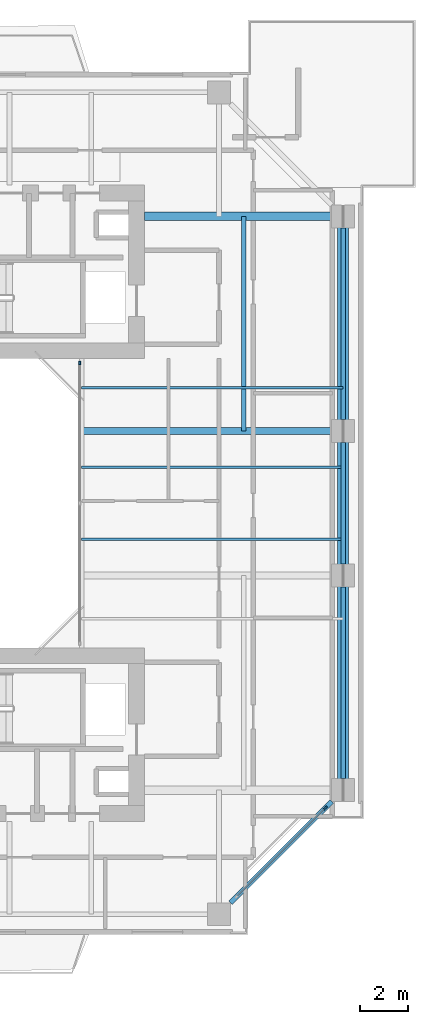
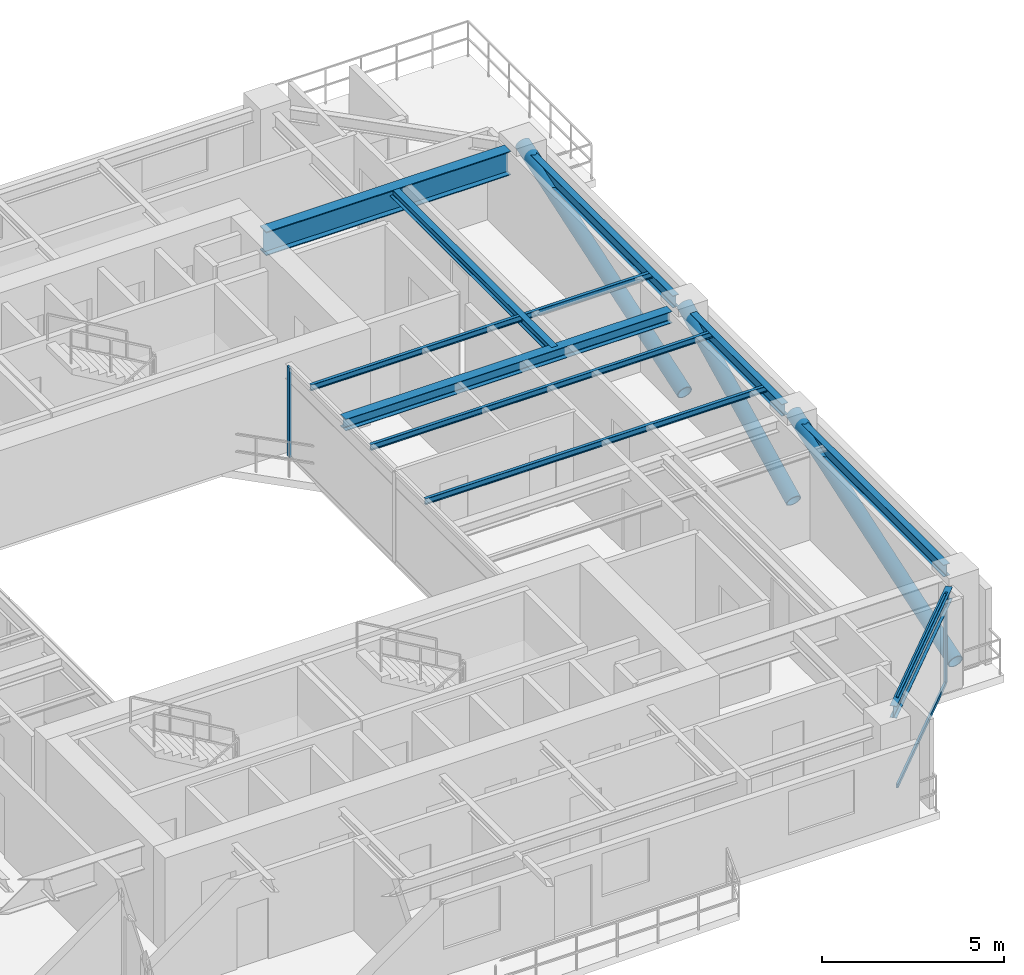
# One storey, part 5 of 14: 10 beams, 7 members, 2 elements without a shape of their own.
"""IFC4 building model written with IfcOpenShell, lengths in metres."""

from ifc_helpers import new_model, si_unit, direction, frame, origin, origin_2d, place, context, subcontext, project, spatial, rectangle, hollow_circle, i_section, extrude, source, transform, mapped, material, layer, layer_set, material_profile, profile_set, type_object, element, aggregate, save


model = new_model("IFC4")

# Units and contexts
model_context = context("Model", 3, precision=1e-05, world=origin(), true_north=direction((0.0, 1.0)))
body_context = subcontext(model_context, "Body", "Model", "MODEL_VIEW")
ifc_project = project(units=[si_unit("LENGTHUNIT", "METRE"), si_unit("AREAUNIT", "SQUARE_METRE"), si_unit("VOLUMEUNIT", "CUBIC_METRE"), si_unit("PLANEANGLEUNIT", "RADIAN"), si_unit("MASSUNIT", "GRAM", prefix="KILO"), si_unit("THERMODYNAMICTEMPERATUREUNIT", "KELVIN"), si_unit("POWERUNIT", "WATT")], contexts=[model_context])

# Site, building, storey
site_placement = place(None, origin())
site = spatial("IfcSite", under=ifc_project, at=site_placement, CompositionType="ELEMENT")
building_placement = place(site_placement, origin())
building = spatial("IfcBuilding", under=site, at=building_placement, Name="Qiaomeng Ring Towers", CompositionType="ELEMENT")
storey_placement = place(building_placement, frame((0.0, 0.0, 173.0)))
storey = spatial("IfcBuildingStorey", under=building, at=storey_placement, Name="L50", CompositionType="ELEMENT", Elevation=173.0)

# Beams
ifc_material_1 = material(Name="Steel Q355B", Category="steel")
ifc_material_profile_1 = material_profile(ifc_material_1, i_section(OverallWidth=0.10009765625, OverallDepth=0.199951171875, WebThickness=0.005615234375, FlangeThickness=0.008056640625, FilletRadius=0.010986328125, at=origin_2d()), Name="HN 200x100x5.5x8")
ifc_profile_set_1 = profile_set([ifc_material_profile_1], Name="Steel Q355B")
beam_type_1 = type_object("IfcBeamType", Name="STR-BM-HN200", PredefinedType="JOIST", material=ifc_profile_set_1)
shared_shape_1 = source(origin(), body_context, "Body", "SweptSolid", [
    extrude(i_section(OverallWidth=0.10009765625, OverallDepth=0.199951171875, WebThickness=0.005615234375, FlangeThickness=0.008056640625, FilletRadius=0.010986328125, at=origin_2d()), origin(), (0.0, 0.0, 1.0), 10.85009765625),
])
for number, where, z_axis, x_axis, name in (
    (1, (25.199951171875, 21.5, 2.89990234375), (1.0, 0.0, 0.0), (0.0, 1.0, 0.0), "L50 beam STR-JST-L50-T1E-2"),
    (2, (25.199951171875, 24.5, 2.89990234375), (1.0, 0.0, 0.0), (0.0, 1.0, 0.0), "L50 beam STR-JST-L50-T1E-3"),
    (3, (25.199951171875, 27.800048828125, 2.89990234375), (1.0, 0.0, 0.0), (0.0, 1.0, 0.0), "L50 beam STR-JST-L50-T1E-4"),
):
    element("IfcBeam", number, at=place(storey_placement, frame(where, z_axis=z_axis, x_axis=x_axis)), inside=storey, type_object=beam_type_1, Name=name, PredefinedType="JOIST", context=body_context, shape_type="MappedRepresentation", body=[
        mapped(shared_shape_1, transform((0.0, 0.0, 0.0), x_axis=(1.0, 0.0, 0.0), y_axis=(0.0, 1.0, 0.0), z_axis=(0.0, 0.0, 1.0), scale=1.0)),
    ])
ifc_material_profile_2 = material_profile(ifc_material_1, i_section(OverallWidth=0.199951171875, OverallDepth=0.2939453125, WebThickness=0.008056640625, FlangeThickness=0.011962890625, FilletRadius=0.01806640625, at=origin_2d()), Name="HM 294x200x8x12")
ifc_profile_set_2 = profile_set([ifc_material_profile_2], Name="Steel Q355B")
beam_type_2 = type_object("IfcBeamType", Name="STR-BM-HM294", PredefinedType="JOIST", material=ifc_profile_set_2)
shared_shape_2 = source(origin(), body_context, "Body", "SweptSolid", [
    extrude(i_section(OverallWidth=0.199951171875, OverallDepth=0.2939453125, WebThickness=0.008056640625, FlangeThickness=0.011962890625, FilletRadius=0.01806640625, at=origin_2d()), origin(), (0.0, 0.0, 1.0), 8.89990234375),
])
beam_1_placement = place(storey_placement, frame((31.925048828125, 26.0, 2.85302734375), z_axis=(0.0, 1.0, 0.0), x_axis=(-1.0, 0.0, 0.0)))
element("IfcBeam", 4, at=beam_1_placement, inside=storey, type_object=beam_type_2, Name="L50 beam STR-JST-L50-T1C-EN", PredefinedType="JOIST", context=body_context, shape_type="MappedRepresentation", body=[
    mapped(shared_shape_2, transform((0.0, 0.0, 0.0), x_axis=(1.0, 0.0, 0.0), y_axis=(0.0, 1.0, 0.0), z_axis=(0.0, 0.0, 1.0), scale=1.0)),
])
ifc_material_profile_3 = material_profile(ifc_material_1, i_section(OverallWidth=0.199951171875, OverallDepth=0.39990234375, WebThickness=0.008056640625, FlangeThickness=0.012939453125, FilletRadius=0.01611328125, at=origin_2d()), Name="HN 400x200x8x13")
ifc_profile_set_3 = profile_set([ifc_material_profile_3], Name="Steel Q355B")
beam_type_3 = type_object("IfcBeamType", Name="STR-BM-HN400", PredefinedType="SPANDREL", material=ifc_profile_set_3)
shared_shape_3 = source(origin(), body_context, "Body", "SweptSolid", [
    extrude(i_section(OverallWidth=0.199951171875, OverallDepth=0.39990234375, WebThickness=0.008056640625, FlangeThickness=0.012939453125, FilletRadius=0.01611328125, at=origin_2d()), origin(), (0.0, 0.0, 1.0), 5.941650390625),
])
beam_2_placement = place(storey_placement, frame((31.374267578125, 6.42431640625, 2.800048828125), z_axis=(0.707106781187, 0.707106781187, 0.0), x_axis=(-0.707106781187, 0.707106781187, 0.0)))
element("IfcBeam", 5, at=beam_2_placement, inside=storey, type_object=beam_type_3, Name="L50 beam STR-SP-L50-T1-S2-E1", PredefinedType="SPANDREL", context=body_context, shape_type="MappedRepresentation", body=[
    mapped(shared_shape_3, transform((0.0, 0.0, 0.0), x_axis=(1.0, 0.0, 0.0), y_axis=(0.0, 1.0, 0.0), z_axis=(0.0, 0.0, 1.0), scale=1.0)),
])
shared_shape_4 = source(origin(), body_context, "Body", "SweptSolid", [
    extrude(i_section(OverallWidth=0.199951171875, OverallDepth=0.39990234375, WebThickness=0.008056640625, FlangeThickness=0.012939453125, FilletRadius=0.01611328125, at=origin_2d()), origin(), (0.0, 0.0, 1.0), 7.951904296875),
])
for number, where, z_axis, x_axis, name in (
    (6, (36.050048828125, 11.573974609375, 2.800048828125), (0.0, 1.0, 0.0), (-1.0, 0.0, 0.0), "L50 beam STR-SP-L50-T1-E1-E2"),
    (7, (36.050048828125, 26.47412109375, 2.800048828125), (0.0, 1.0, 0.0), (-1.0, 0.0, 0.0), "L50 beam STR-SP-L50-T1-E3-E4"),
):
    element("IfcBeam", number, at=place(storey_placement, frame(where, z_axis=z_axis, x_axis=x_axis)), inside=storey, type_object=beam_type_3, Name=name, PredefinedType="SPANDREL", context=body_context, shape_type="MappedRepresentation", body=[
        mapped(shared_shape_4, transform((0.0, 0.0, 0.0), x_axis=(1.0, 0.0, 0.0), y_axis=(0.0, 1.0, 0.0), z_axis=(0.0, 0.0, 1.0), scale=1.0)),
    ])
shared_shape_5 = source(origin(), body_context, "Body", "SweptSolid", [
    extrude(i_section(OverallWidth=0.199951171875, OverallDepth=0.39990234375, WebThickness=0.008056640625, FlangeThickness=0.012939453125, FilletRadius=0.01611328125, at=origin_2d()), origin(), (0.0, 0.0, 1.0), 5.0517578125),
])
beam_3_placement = place(storey_placement, frame((36.050048828125, 20.47412109375, 2.800048828125), z_axis=(0.0, 1.0, 0.0), x_axis=(-1.0, 0.0, 0.0)))
element("IfcBeam", 8, at=beam_3_placement, inside=storey, type_object=beam_type_3, Name="L50 beam STR-SP-L50-T1-E2-E3", PredefinedType="SPANDREL", context=body_context, shape_type="MappedRepresentation", body=[
    mapped(shared_shape_5, transform((0.0, 0.0, 0.0), x_axis=(1.0, 0.0, 0.0), y_axis=(0.0, 1.0, 0.0), z_axis=(0.0, 0.0, 1.0), scale=1.0)),
])
ifc_material_2 = material(Name="Steel Q390GJC", Category="steel")
ifc_material_profile_4 = material_profile(ifc_material_2, i_section(OverallWidth=0.35009765625, OverallDepth=0.800048828125, WebThickness=0.01611328125, FlangeThickness=0.028076171875, at=origin_2d()), Name="WH 800x350x16x28")
ifc_profile_set_4 = profile_set([ifc_material_profile_4], Name="Steel Q390GJC")
beam_type_4 = type_object("IfcBeamType", Name="STR-BM-WH800", PredefinedType="BEAM", material=ifc_profile_set_4)
shared_shape_6 = source(origin(), body_context, "Body", "SweptSolid", [
    extrude(i_section(OverallWidth=0.35009765625, OverallDepth=0.800048828125, WebThickness=0.01611328125, FlangeThickness=0.028076171875, at=origin_2d()), origin(), (0.0, 0.0, 1.0), 7.77587890625),
])
beam_4_placement = place(storey_placement, frame((27.800048828125, 34.89990234375, 2.60009765625), z_axis=(1.0, 0.0, 0.0), x_axis=(0.0, 1.0, 0.0)))
element("IfcBeam", 9, at=beam_4_placement, inside=storey, type_object=beam_type_4, Name="L50 beam STR-BM-L50-T1-RAD-E4", PredefinedType="BEAM", context=body_context, shape_type="MappedRepresentation", body=[
    mapped(shared_shape_6, transform((0.0, 0.0, 0.0), x_axis=(1.0, 0.0, 0.0), y_axis=(0.0, 1.0, 0.0), z_axis=(0.0, 0.0, 1.0), scale=1.0)),
])
ifc_material_profile_5 = material_profile(ifc_material_1, i_section(OverallWidth=0.300048828125, OverallDepth=0.389892578125, WebThickness=0.010009765625, FlangeThickness=0.01611328125, FilletRadius=0.02197265625, at=origin_2d()), Name="HM 390x300x10x16")
ifc_profile_set_5 = profile_set([ifc_material_profile_5], Name="Steel Q355B")
beam_type_5 = type_object("IfcBeamType", Name="STR-BM-HM390", PredefinedType="BEAM", material=ifc_profile_set_5)
shared_shape_7 = source(origin(), body_context, "Body", "SweptSolid", [
    extrude(i_section(OverallWidth=0.300048828125, OverallDepth=0.389892578125, WebThickness=0.010009765625, FlangeThickness=0.01611328125, FilletRadius=0.02197265625, at=origin_2d()), origin(), (0.0, 0.0, 1.0), 10.3759765625),
])
beam_5_placement = place(storey_placement, frame((25.199951171875, 26.0, 2.804931640625), z_axis=(1.0, 0.0, 0.0), x_axis=(0.0, 1.0, 0.0)))
element("IfcBeam", 10, at=beam_5_placement, inside=storey, type_object=beam_type_5, Name="L50 beam STR-BM-L50-T1-RAD-E3", PredefinedType="BEAM", context=body_context, shape_type="MappedRepresentation", body=[
    mapped(shared_shape_7, transform((0.0, 0.0, 0.0), x_axis=(1.0, 0.0, 0.0), y_axis=(0.0, 1.0, 0.0), z_axis=(0.0, 0.0, 1.0), scale=1.0)),
])

# Members
ifc_material_profile_6 = material_profile(ifc_material_2, hollow_circle(Radius=0.228515625, WallThickness=0.028076171875, at=origin_2d()), Name="CHS 457x28")
ifc_profile_set_6 = profile_set([ifc_material_profile_6], Name="Steel Q390GJC")
member_type_1 = type_object("IfcMemberType", Name="STR-MB-BR-457", PredefinedType="BRACE", material=ifc_profile_set_6)
shared_shape_8 = source(origin(), body_context, "Body", "SweptSolid", [
    extrude(hollow_circle(Radius=0.228515625, WallThickness=0.028076171875, at=origin_2d()), origin(), (0.0, 0.0, 1.0), 9.379150390625),
])
for number, where, z_axis, x_axis, name in (
    (11, (36.050048828125, 11.10009765625, 0.02001953125), (0.0, 0.948896527699, 0.315587356719), (-1.0, 0.0, 0.0), "L50 Portal Bridge Truss Diagonal E-0A"),
    (12, (36.050048828125, 26.0, 0.02001953125), (0.0, 0.948896527699, 0.315587356719), (-1.0, 0.0, 0.0), "L50 Portal Bridge Truss Diagonal E-2A"),
):
    element("IfcMember", number, at=place(storey_placement, frame(where, z_axis=z_axis, x_axis=x_axis)), inside=storey, type_object=member_type_1, Name=name, PredefinedType="BRACE", context=body_context, shape_type="MappedRepresentation", body=[
        mapped(shared_shape_8, transform((0.0, 0.0, 0.0), x_axis=(1.0, 0.0, 0.0), y_axis=(0.0, 1.0, 0.0), z_axis=(0.0, 0.0, 1.0), scale=1.0)),
    ])
shared_shape_9 = source(origin(), body_context, "Body", "SweptSolid", [
    extrude(hollow_circle(Radius=0.228515625, WallThickness=0.028076171875, at=origin_2d()), origin(), (0.0, 0.0, 1.0), 6.6904296875),
])
member_1_placement = place(storey_placement, frame((36.050048828125, 20.0, 0.02001953125), z_axis=(0.0, 0.896808201334, 0.44241954073), x_axis=(-1.0, 0.0, 0.0)))
element("IfcMember", 13, at=member_1_placement, inside=storey, type_object=member_type_1, Name="L50 Portal Bridge Truss Diagonal E-1A", PredefinedType="BRACE", context=body_context, shape_type="MappedRepresentation", body=[
    mapped(shared_shape_9, transform((0.0, 0.0, 0.0), x_axis=(1.0, 0.0, 0.0), y_axis=(0.0, 1.0, 0.0), z_axis=(0.0, 0.0, 1.0), scale=1.0)),
])

# Curtain wall, members
ifc_material_3 = material(Name="Fluorocarbon dark-grey aluminium", Category="aluminium")
ifc_layer_1 = layer(ifc_material_3, 0.14990234375, Name="Fluorocarbon dark-grey aluminium")
ifc_layer_set_1 = layer_set([ifc_layer_1], Name="Fluorocarbon dark-grey aluminium")
curtain_wall_type_1 = type_object("IfcCurtainWallType", Name="ARC-CW-3", PredefinedType="NOTDEFINED", material=ifc_layer_set_1)
curtain_wall_1_placement = place(storey_placement, origin())
curtain_wall_1 = element("IfcCurtainWall", 14, at=curtain_wall_1_placement, inside=storey, type_object=curtain_wall_type_1, Name="L50 Curtain Wall CW3", PredefinedType="NOTDEFINED")
ifc_material_profile_7 = material_profile(ifc_material_3, rectangle(XDim=0.06494140625, YDim=0.1298828125, at=origin_2d()), Name="ALU TRAN 65x130")
ifc_profile_set_7 = profile_set([ifc_material_profile_7], Name="Fluorocarbon dark-grey aluminium")
member_type_2 = type_object("IfcMemberType", Name="ARC-CWT-120", PredefinedType="USERDEFINED", material=ifc_profile_set_7)
shared_shape_10 = source(origin(), body_context, "Body", "SweptSolid", [
    extrude(rectangle(XDim=0.06494140625, YDim=0.1298828125, at=origin_2d()), origin(), (0.0, 0.0, 1.0), 5.12060546875),
])
member_2_placement = place(storey_placement, frame((31.66455078125, 6.714599609375, 0.032470703125), z_axis=(0.707106781187, 0.707106781187, 0.0), x_axis=(-0.707106781187, 0.707106781187, 0.0)))
member_2 = element("IfcMember", 15, at=member_2_placement, type_object=member_type_2, Name="CW3 transom 1.1", ObjectType="TRANSOM", PredefinedType="USERDEFINED", context=body_context, shape_type="MappedRepresentation", body=[
    mapped(shared_shape_10, transform((0.0, 0.0, 0.0), x_axis=(1.0, 0.0, 0.0), y_axis=(0.0, 1.0, 0.0), z_axis=(0.0, 0.0, 1.0), scale=1.0)),
])
member_3_placement = place(storey_placement, frame((31.66455078125, 6.714599609375, 2.967529296875), z_axis=(0.707106781187, 0.707106781187, 0.0), x_axis=(-0.707106781187, 0.707106781187, 0.0)))
member_3 = element("IfcMember", 16, at=member_3_placement, type_object=member_type_2, Name="CW3 transom 1.2", ObjectType="TRANSOM", PredefinedType="USERDEFINED", context=body_context, shape_type="MappedRepresentation", body=[
    mapped(shared_shape_10, transform((0.0, 0.0, 0.0), x_axis=(1.0, 0.0, 0.0), y_axis=(0.0, 1.0, 0.0), z_axis=(0.0, 0.0, 1.0), scale=1.0)),
])
ifc_material_profile_8 = material_profile(ifc_material_3, rectangle(XDim=0.070068359375, YDim=0.179931640625, at=origin_2d()), Name="ALU MULL 70x180")
ifc_profile_set_8 = profile_set([ifc_material_profile_8], Name="Fluorocarbon dark-grey aluminium")
member_type_3 = type_object("IfcMemberType", Name="ARC-CWM-160", PredefinedType="MULLION", material=ifc_profile_set_8)
shared_shape_11 = source(origin(), body_context, "Body", "SweptSolid", [
    extrude(rectangle(XDim=0.070068359375, YDim=0.179931640625, at=origin_2d()), origin(), (0.0, 0.0, 1.0), 3.0),
])
member_4_placement = place(storey_placement, frame((35.310302734375, 10.3603515625, 0.0), z_axis=(0.0, 0.0, 1.0), x_axis=(-0.707106781187, 0.707106781187, 0.0)))
member_4 = element("IfcMember", 17, at=member_4_placement, type_object=member_type_3, Name="CW3 mullion 2", PredefinedType="MULLION", context=body_context, shape_type="MappedRepresentation", body=[
    mapped(shared_shape_11, transform((0.0, 0.0, 0.0), x_axis=(1.0, 0.0, 0.0), y_axis=(0.0, 1.0, 0.0), z_axis=(0.0, 0.0, 1.0), scale=1.0)),
])
aggregate(curtain_wall_1, [member_4, member_2, member_3])

# Curtain wall, member
ifc_layer_2 = layer(ifc_material_3, 0.139892578125, Name="Fluorocarbon dark-grey aluminium")
ifc_layer_set_2 = layer_set([ifc_layer_2], Name="Fluorocarbon dark-grey aluminium")
curtain_wall_type_2 = type_object("IfcCurtainWallType", Name="ARC-CW-4", PredefinedType="NOTDEFINED", material=ifc_layer_set_2)
curtain_wall_2_placement = place(storey_placement, origin())
curtain_wall_2 = element("IfcCurtainWall", 18, at=curtain_wall_2_placement, inside=storey, type_object=curtain_wall_type_2, Name="L50 Curtain Wall CW4", PredefinedType="NOTDEFINED")
ifc_material_profile_9 = material_profile(ifc_material_3, rectangle(XDim=0.06494140625, YDim=0.159912109375, at=origin_2d()), Name="ALU MULL 65x160")
ifc_profile_set_9 = profile_set([ifc_material_profile_9], Name="Fluorocarbon dark-grey aluminium")
member_type_4 = type_object("IfcMemberType", Name="ARC-CWM-140", PredefinedType="MULLION", material=ifc_profile_set_9)
shared_shape_12 = source(origin(), body_context, "Body", "SweptSolid", [
    extrude(rectangle(XDim=0.06494140625, YDim=0.159912109375, at=origin_2d()), origin(), (0.0, 0.0, 1.0), 3.0),
])
member_5_placement = place(storey_placement, frame((25.1201171875, 28.8173828125, 0.0), z_axis=(0.0, 0.0, 1.0), x_axis=(-1.0, 0.0, 0.0)))
member_5 = element("IfcMember", 19, at=member_5_placement, type_object=member_type_4, Name="CW4 mullion 3", PredefinedType="MULLION", context=body_context, shape_type="MappedRepresentation", body=[
    mapped(shared_shape_12, transform((0.0, 0.0, 0.0), x_axis=(1.0, 0.0, 0.0), y_axis=(0.0, 1.0, 0.0), z_axis=(0.0, 0.0, 1.0), scale=1.0)),
])
aggregate(curtain_wall_2, [member_5])

save(model, "model.ifc")
